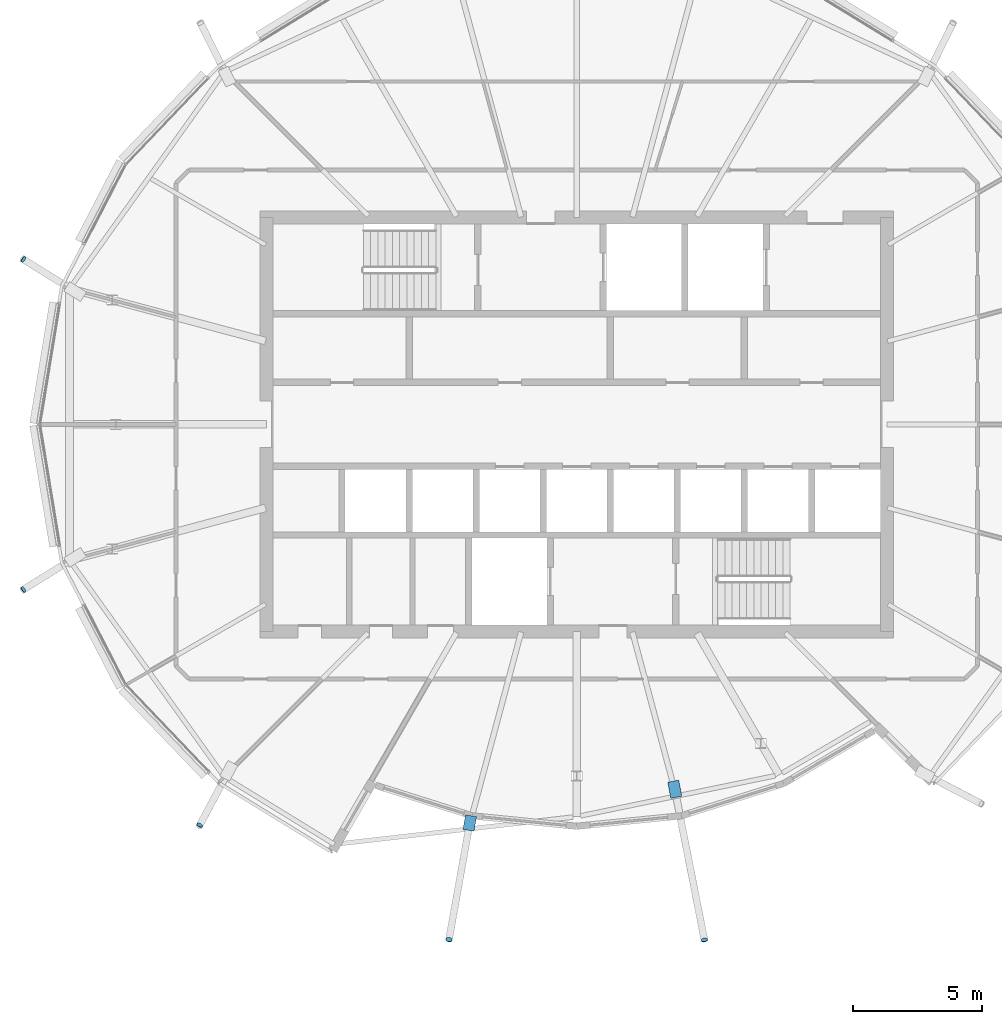
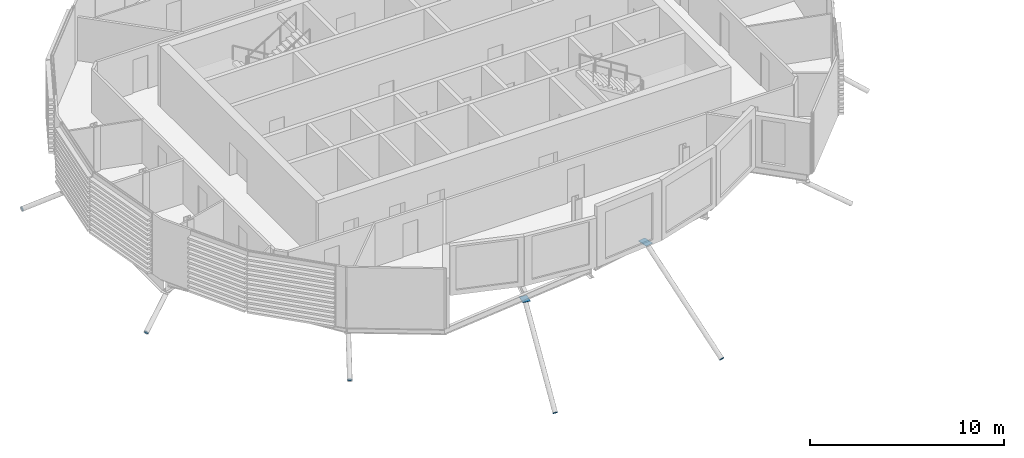
# One storey, part 23 of 35: 7 discrete accessories.
"""IFC4 building model written with IfcOpenShell, lengths in metres."""

from ifc_helpers import new_model, si_unit, direction, frame, origin, origin_2d, place, context, subcontext, project, spatial, polyline, rectangle, circle, outline, extrude, material, material_profile, profile_set, type_object, element, save


model = new_model("IFC4")

# Units and contexts
model_context = context("Model", 3, precision=1e-05, world=origin(), true_north=direction((0.0, 1.0)))
body_context = subcontext(model_context, "Body", "Model", "MODEL_VIEW")
ifc_project = project(units=[si_unit("LENGTHUNIT", "METRE"), si_unit("AREAUNIT", "SQUARE_METRE"), si_unit("VOLUMEUNIT", "CUBIC_METRE"), si_unit("PLANEANGLEUNIT", "RADIAN"), si_unit("MASSUNIT", "GRAM", prefix="KILO")], contexts=[model_context])

# Site, building, storey
site_placement = place(None, origin())
site = spatial("IfcSite", under=ifc_project, at=site_placement, CompositionType="ELEMENT")
building_placement = place(site_placement, origin())
building = spatial("IfcBuilding", under=site, at=building_placement, Name="Rimbun Link Towers", CompositionType="ELEMENT")
storey_placement = place(building_placement, frame((0.0, 0.0, 225.699951171875)))
storey = spatial("IfcBuildingStorey", under=building, at=storey_placement, Name="L55", CompositionType="ELEMENT", Elevation=225.699951171875)

# Discrete accessories
ifc_material_1 = material(Name="Steel S355J2H", Category="steel")
ifc_material_profile_1 = material_profile(ifc_material_1, circle(Radius=0.1240234375, at=origin_2d()), Name="PL D248")
ifc_profile_set_1 = profile_set([ifc_material_profile_1], Name="Steel S355J2H")
discrete_accessory_type_1 = type_object("IfcDiscreteAccessoryType", Name="Link foot sealing plate D248X20", PredefinedType="BRACKET", material=ifc_profile_set_1)
for number, where, z_axis, x_axis, name in (
    (1, (-53.147216796875, 6.3828125, -2.197021484375), (-0.7598929425, 0.465740835726, -0.453484497944), (-0.522562057929, -0.852601252411, 0.0), "Link foot sealing plate T1 L55 11"),
    (2, (-53.147216796875, -6.3828125, -2.197021484375), (-0.7598929425, -0.465740835726, -0.453484497944), (0.522562057929, -0.852601252411, 0.0), "Link foot sealing plate T1 L55 13"),
    (3, (-46.32958984375, -15.4931640625, -2.040283203125), (-0.400714490161, -0.752857526968, -0.522143123542), (0.882746759079, -0.469849081445, 0.0), "Link foot sealing plate T1 L55 15"),
):
    element("IfcDiscreteAccessory", number, at=place(storey_placement, frame(where, z_axis=z_axis, x_axis=x_axis)), inside=storey, type_object=discrete_accessory_type_1, Name=name, PredefinedType="BRACKET", context=body_context, shape_type="SweptSolid", body=[
        extrude(circle(Radius=0.1240234375, at=origin_2d()), origin(), (0.0, 0.0, 1.0), 0.02001953125),
    ])
discrete_accessory_1_placement = place(storey_placement, frame((-36.691162109375, -19.920166015625, -4.79296875), z_axis=(-0.122942559901, -0.737655359407, -0.663889823467), x_axis=(0.986393923832, -0.164398987305, 0.0)))
element("IfcDiscreteAccessory", 4, at=discrete_accessory_1_placement, inside=storey, type_object=discrete_accessory_type_1, Name="Link foot sealing plate T1 L55 17", PredefinedType="BRACKET", context=body_context, shape_type="SweptSolid", body=[
    extrude(circle(Radius=0.1240234375, at=origin_2d()), origin(), (0.0, 0.0, 1.0), 0.019775390625),
])
discrete_accessory_2_placement = place(storey_placement, frame((-26.81298828125, -19.931640625, -4.86767578125), z_axis=(0.146504967391, -0.805777320651, -0.573811122282), x_axis=(0.9838699101, 0.1788854382, 0.0)))
element("IfcDiscreteAccessory", 5, at=discrete_accessory_2_placement, inside=storey, type_object=discrete_accessory_type_1, Name="Link foot sealing plate T1 L55 19", PredefinedType="BRACKET", context=body_context, shape_type="SweptSolid", body=[
    extrude(circle(Radius=0.1240234375, at=origin_2d()), origin(), (0.0, 0.0, 1.0), 0.02001953125),
])
ifc_material_2 = material(Name="Steel S355J2H", Category="steel")
ifc_material_profile_2 = material_profile(ifc_material_2, rectangle(XDim=0.43310546875, YDim=0.43310546875, at=origin_2d()), Name="PL 433x433")
ifc_profile_set_2 = profile_set([ifc_material_profile_2], Name="Steel S355J2H")
discrete_accessory_type_2 = type_object("IfcDiscreteAccessoryType", Name="Link head end plate 433X20", PredefinedType="BRACKET", material=ifc_profile_set_2)
discrete_accessory_3_placement = place(storey_placement, frame((0.0, 0.0, -0.693115234375)))
element("IfcDiscreteAccessory", 6, at=discrete_accessory_3_placement, inside=storey, type_object=discrete_accessory_type_2, Name="Link head end plate T1 L55 17", PredefinedType="BRACKET", context=body_context, shape_type="SweptSolid", body=[
    extrude(outline(polyline([(-36.052001953125, -15.097900390625), (-36.15185546875, -15.658203125), (-35.7255859375, -15.73388671875), (-35.625732421875, -15.173828125), (-36.052001953125, -15.097900390625)])), origin(), (0.0, 0.0, 1.0), 0.02001953125),
])
discrete_accessory_4_placement = place(storey_placement, frame((0.0, 0.0, -0.693115234375)))
element("IfcDiscreteAccessory", 7, at=discrete_accessory_4_placement, inside=storey, type_object=discrete_accessory_type_2, Name="Link head end plate T1 L55 19", PredefinedType="BRACKET", context=body_context, shape_type="SweptSolid", body=[
    extrude(outline(polyline([(-28.233642578125, -13.8408203125), (-28.111083984375, -14.46337890625), (-27.686279296875, -14.379638671875), (-27.808837890625, -13.757080078125), (-28.233642578125, -13.8408203125)])), origin(), (0.0, 0.0, 1.0), 0.02001953125),
])

save(model, "model.ifc")
